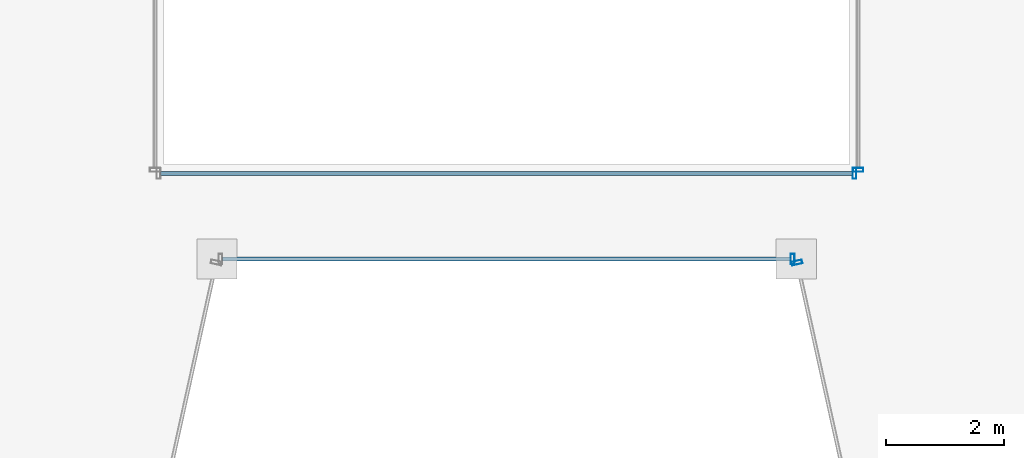
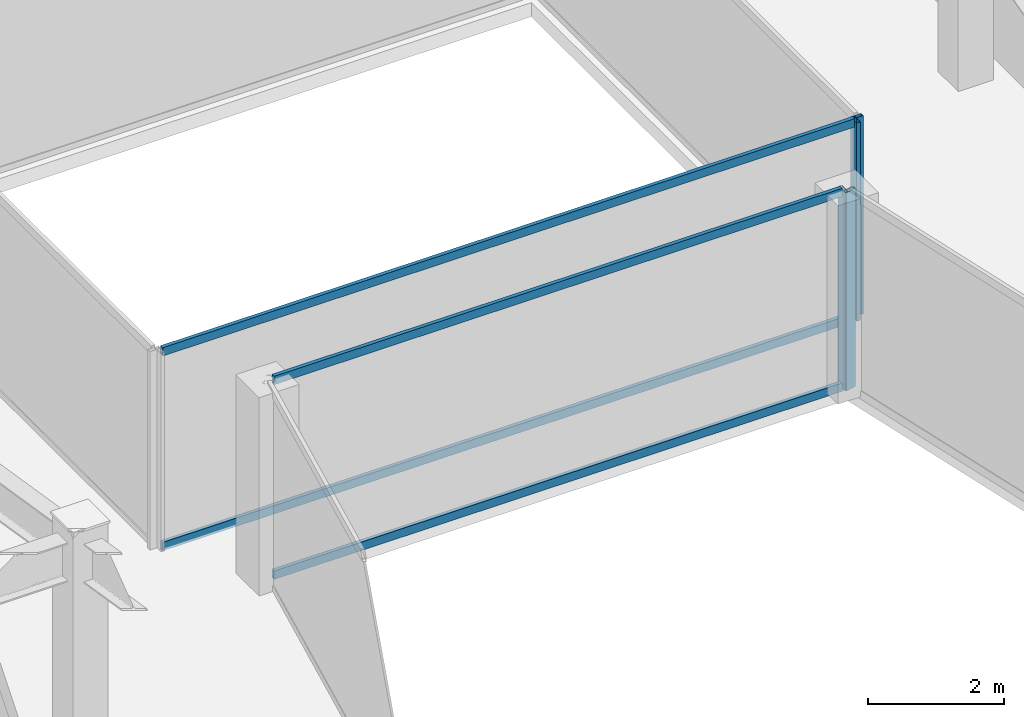
# One storey, part 7 of 35: 8 members, 4 elements without a shape of their own.
"""IFC4 building model written with IfcOpenShell, lengths in metres."""

from ifc_helpers import new_model, si_unit, direction, frame, origin, origin_2d, place, context, subcontext, project, spatial, hollow_rectangle, extrude, material, material_profile, profile_set, type_object, element, aggregate, save


model = new_model("IFC4")

# Units and contexts
model_context = context("Model", 3, precision=1e-05, world=origin(), true_north=direction((0.0, 1.0)))
body_context = subcontext(model_context, "Body", "Model", "MODEL_VIEW")
ifc_project = project(units=[si_unit("LENGTHUNIT", "METRE"), si_unit("AREAUNIT", "SQUARE_METRE"), si_unit("VOLUMEUNIT", "CUBIC_METRE"), si_unit("PLANEANGLEUNIT", "RADIAN"), si_unit("MASSUNIT", "GRAM", prefix="KILO")], contexts=[model_context])

# Site, building, storey
site_placement = place(None, origin())
site = spatial("IfcSite", under=ifc_project, at=site_placement, CompositionType="ELEMENT")
building_placement = place(site_placement, origin())
building = spatial("IfcBuilding", under=site, at=building_placement, Name="Saevonmaru Cultural Tower", CompositionType="ELEMENT")
storey_placement = place(building_placement, frame((0.0, 0.0, 179.0)))
storey = spatial("IfcBuildingStorey", under=building, at=storey_placement, Name="L40", CompositionType="ELEMENT", Elevation=179.0)

# Curtain wall, member
ifc_material = material(Name="Satin Bronze Anodised Aluminium", Category="aluminium")
curtain_wall_type_1 = type_object("IfcCurtainWallType", Name="CW-TYP-B", PredefinedType="NOTDEFINED", material=ifc_material)
curtain_wall_1_placement = place(storey_placement, origin())
curtain_wall_1 = element("IfcCurtainWall", 1, at=curtain_wall_1_placement, inside=storey, type_object=curtain_wall_type_1, Name="L40 Unitised Curtain Wall E4", PredefinedType="NOTDEFINED")
ifc_material_profile_1 = material_profile(ifc_material, hollow_rectangle(XDim=0.06494140625, YDim=0.179931640625, WallThickness=0.00390625, at=origin_2d()), Name="ALU-MULL-180x65x4")
ifc_profile_set_1 = profile_set([ifc_material_profile_1], Name="Satin Bronze Anodised Aluminium")
member_type_1 = type_object("IfcMemberType", Name="ML-CW-180x65", PredefinedType="MULLION", material=ifc_profile_set_1)
member_1_placement = place(storey_placement, frame((34.84228515625, 26.0, 0.0), z_axis=(0.0, 0.0, 1.0), x_axis=(1.0, 0.0, 0.0)))
member_1 = element("IfcMember", 2, at=member_1_placement, type_object=member_type_1, Name="CW-TW-L40-E4 mullion 2", PredefinedType="MULLION", context=body_context, shape_type="SweptSolid", body=[
    extrude(hollow_rectangle(XDim=0.06494140625, YDim=0.179931640625, WallThickness=0.00390625, at=origin_2d()), origin(), (0.0, 0.0, 1.0), 3.550048828125),
])

curtain_wall_2_placement = place(storey_placement, origin())
curtain_wall_2 = element("IfcCurtainWall", 3, at=curtain_wall_2_placement, inside=storey, type_object=curtain_wall_type_1, Name="L40 Unitised Curtain Wall E5", PredefinedType="NOTDEFINED")
member_2_placement = place(storey_placement, frame((34.9150390625, 25.94140625, 0.0), z_axis=(0.0, 0.0, 1.0), x_axis=(0.215413319953, -0.976522965212, 0.0)))
member_2 = element("IfcMember", 4, at=member_2_placement, type_object=member_type_1, Name="CW-TW-L40-E5 mullion 1", PredefinedType="MULLION", context=body_context, shape_type="SweptSolid", body=[
    extrude(hollow_rectangle(XDim=0.06494140625, YDim=0.179931640625, WallThickness=0.00390625, at=origin_2d()), origin(), (0.0, 0.0, 1.0), 3.550048828125),
])
aggregate(curtain_wall_2, [member_2])

curtain_wall_type_2 = type_object("IfcCurtainWallType", Name="CW-ATR-GLZ", PredefinedType="NOTDEFINED", material=ifc_material)
curtain_wall_3_placement = place(storey_placement, origin())
curtain_wall_3 = element("IfcCurtainWall", 5, at=curtain_wall_3_placement, inside=storey, type_object=curtain_wall_type_2, Name="L40 Vertical Atrium Glazed Smoke Screen 1", PredefinedType="NOTDEFINED")
ifc_material_profile_2 = material_profile(ifc_material, hollow_rectangle(XDim=0.06494140625, YDim=0.179931640625, WallThickness=0.00390625, at=origin_2d()), Name="ALU-MULL-180x65x4")
ifc_profile_set_2 = profile_set([ifc_material_profile_2], Name="Satin Bronze Anodised Aluminium")
member_type_2 = type_object("IfcMemberType", Name="ML-CW-INT-180x65", PredefinedType="MULLION", material=ifc_profile_set_2)
member_3_placement = place(storey_placement, frame((35.889892578125, 27.449951171875, 0.0), z_axis=(0.0, 0.0, 1.0), x_axis=(1.0, 0.0, 0.0)))
member_3 = element("IfcMember", 6, at=member_3_placement, type_object=member_type_2, Name="CW-ATR-L40-1 mullion 2", PredefinedType="MULLION", context=body_context, shape_type="SweptSolid", body=[
    extrude(hollow_rectangle(XDim=0.06494140625, YDim=0.179931640625, WallThickness=0.00390625, at=origin_2d()), origin(), (0.0, 0.0, 1.0), 3.550048828125),
])

curtain_wall_4_placement = place(storey_placement, origin())
curtain_wall_4 = element("IfcCurtainWall", 7, at=curtain_wall_4_placement, inside=storey, type_object=curtain_wall_type_2, Name="L40 Vertical Atrium Glazed Smoke Screen 2", PredefinedType="NOTDEFINED")
member_4_placement = place(storey_placement, frame((35.949951171875, 27.510009765625, 0.0), z_axis=(0.0, 0.0, 1.0), x_axis=(0.0, 1.0, 0.0)))
member_4 = element("IfcMember", 8, at=member_4_placement, type_object=member_type_2, Name="CW-ATR-L40-2 mullion 1", PredefinedType="MULLION", context=body_context, shape_type="SweptSolid", body=[
    extrude(hollow_rectangle(XDim=0.06494140625, YDim=0.179931640625, WallThickness=0.00390625, at=origin_2d()), origin(), (0.0, 0.0, 1.0), 3.550048828125),
])
aggregate(curtain_wall_4, [member_4])

# Member
ifc_material_profile_3 = material_profile(ifc_material, hollow_rectangle(XDim=0.06494140625, YDim=0.14990234375, WallThickness=0.00390625, at=origin_2d()), Name="ALU-TRAN-150x65x4")
ifc_profile_set_3 = profile_set([ifc_material_profile_3], Name="Satin Bronze Anodised Aluminium")
member_type_3 = type_object("IfcMemberType", Name="TR-CW-150x65", PredefinedType="USERDEFINED", material=ifc_profile_set_3)
member_5_placement = place(storey_placement, frame((25.190185546875, 26.0, 0.032470703125), z_axis=(1.0, 0.0, 0.0), x_axis=(0.0, 1.0, 0.0)))
member_5 = element("IfcMember", 9, at=member_5_placement, type_object=member_type_3, Name="CW-TW-L40-E4 transom 1.1", ObjectType="TRANSOM", PredefinedType="USERDEFINED", context=body_context, shape_type="SweptSolid", body=[
    extrude(hollow_rectangle(XDim=0.06494140625, YDim=0.14990234375, WallThickness=0.00390625, at=origin_2d()), origin(), (0.0, 0.0, 1.0), 9.61962890625),
])

member_6_placement = place(storey_placement, frame((25.190185546875, 26.0, 3.517578125), z_axis=(1.0, 0.0, 0.0), x_axis=(0.0, 1.0, 0.0)))
member_6 = element("IfcMember", 10, at=member_6_placement, type_object=member_type_3, Name="CW-TW-L40-E4 transom 1.2", ObjectType="TRANSOM", PredefinedType="USERDEFINED", context=body_context, shape_type="SweptSolid", body=[
    extrude(hollow_rectangle(XDim=0.06494140625, YDim=0.14990234375, WallThickness=0.00390625, at=origin_2d()), origin(), (0.0, 0.0, 1.0), 9.61962890625),
])

aggregate(curtain_wall_1, [member_1, member_5, member_6])

ifc_material_profile_4 = material_profile(ifc_material, hollow_rectangle(XDim=0.06494140625, YDim=0.14990234375, WallThickness=0.00390625, at=origin_2d()), Name="ALU-TRAN-150x65x4")
ifc_profile_set_4 = profile_set([ifc_material_profile_4], Name="Satin Bronze Anodised Aluminium")
member_type_4 = type_object("IfcMemberType", Name="TR-CW-INT-150x65", PredefinedType="USERDEFINED", material=ifc_profile_set_4)
member_7_placement = place(storey_placement, frame((24.142578125, 27.449951171875, 0.032470703125), z_axis=(1.0, 0.0, 0.0), x_axis=(0.0, 1.0, 0.0)))
member_7 = element("IfcMember", 11, at=member_7_placement, type_object=member_type_4, Name="CW-ATR-L40-1 transom 1.1", ObjectType="TRANSOM", PredefinedType="USERDEFINED", context=body_context, shape_type="SweptSolid", body=[
    extrude(hollow_rectangle(XDim=0.06494140625, YDim=0.14990234375, WallThickness=0.00390625, at=origin_2d()), origin(), (0.0, 0.0, 1.0), 11.71484375),
])

member_8_placement = place(storey_placement, frame((24.142578125, 27.449951171875, 3.517578125), z_axis=(1.0, 0.0, 0.0), x_axis=(0.0, 1.0, 0.0)))
member_8 = element("IfcMember", 12, at=member_8_placement, type_object=member_type_4, Name="CW-ATR-L40-1 transom 1.2", ObjectType="TRANSOM", PredefinedType="USERDEFINED", context=body_context, shape_type="SweptSolid", body=[
    extrude(hollow_rectangle(XDim=0.06494140625, YDim=0.14990234375, WallThickness=0.00390625, at=origin_2d()), origin(), (0.0, 0.0, 1.0), 11.71484375),
])

aggregate(curtain_wall_3, [member_3, member_7, member_8])

save(model, "model.ifc")
